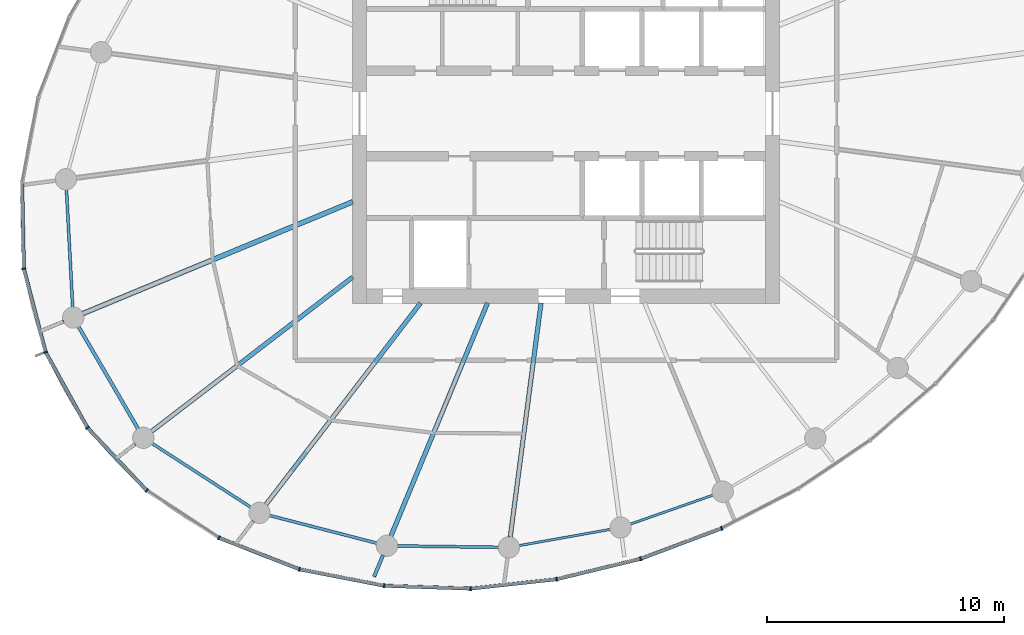
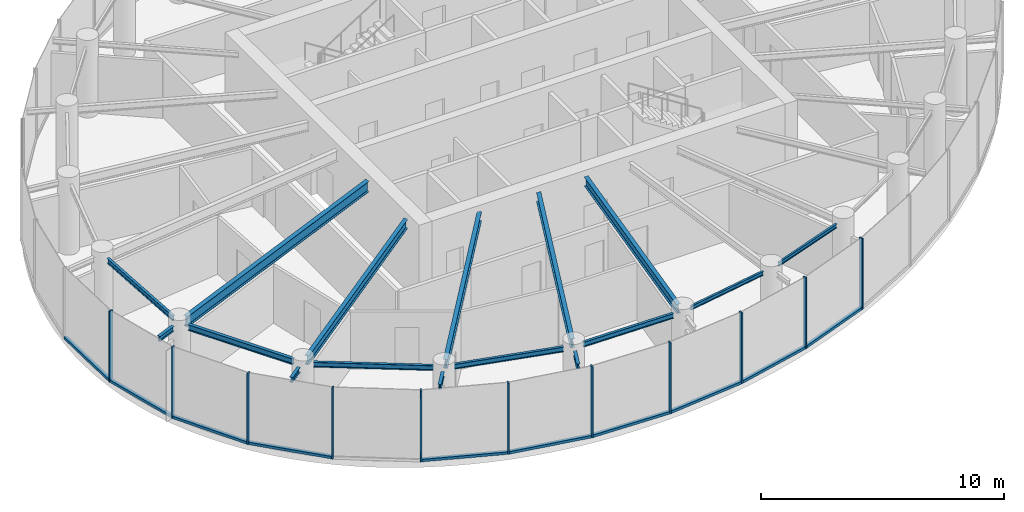
# One storey, part 2 of 13: 21 members, 16 beams, 3 elements without a shape of their own.
"""IFC4 building model written with IfcOpenShell, lengths in metres."""

from ifc_helpers import new_model, si_unit, direction, frame, origin, origin_2d, place, context, subcontext, project, spatial, rectangle, i_section, extrude, source, transform, mapped, material, layer, layer_set, material_profile, profile_set, type_object, element, aggregate, save


model = new_model("IFC4")

# Units and contexts
model_context = context("Model", 3, precision=1e-05, world=origin(), true_north=direction((0.0, 1.0)))
body_context = subcontext(model_context, "Body", "Model", "MODEL_VIEW")
ifc_project = project(units=[si_unit("LENGTHUNIT", "METRE"), si_unit("AREAUNIT", "SQUARE_METRE"), si_unit("VOLUMEUNIT", "CUBIC_METRE"), si_unit("PLANEANGLEUNIT", "RADIAN"), si_unit("MASSUNIT", "GRAM", prefix="KILO")], contexts=[model_context])

# Site, building, storey
site_placement = place(None, origin())
site = spatial("IfcSite", under=ifc_project, at=site_placement, CompositionType="ELEMENT")
building_placement = place(site_placement, origin())
building = spatial("IfcBuilding", under=site, at=building_placement, Name="Spindrift Exchange Tower", CompositionType="ELEMENT")
storey_placement = place(building_placement, frame((0.0, 0.0, 218.89990234375)))
storey = spatial("IfcBuildingStorey", under=building, at=storey_placement, Name="L53", CompositionType="ELEMENT", Elevation=218.89990234375)

# Beams
ifc_material_1 = material(Name="Steel Grade 300", Category="steel")
ifc_material_profile_1 = material_profile(ifc_material_1, i_section(OverallWidth=0.14599609375, OverallDepth=0.251953125, WebThickness=0.006103515625, FlangeThickness=0.008544921875, FilletRadius=0.011962890625, at=origin_2d()), Name="250UB31.4")
ifc_profile_set_1 = profile_set([ifc_material_profile_1], Name="Steel Grade 300")
beam_type_1 = type_object("IfcBeamType", Name="Cantilever Beam 250UB31.4 Steel Grade 300", PredefinedType="BEAM", material=ifc_profile_set_1)
shared_shape_1 = source(origin(), body_context, "Body", "SweptSolid", [
    extrude(i_section(OverallWidth=0.14599609375, OverallDepth=0.251953125, WebThickness=0.006103515625, FlangeThickness=0.008544921875, FilletRadius=0.011962890625, at=origin_2d()), origin(), (0.0, 0.0, 1.0), 0.978515625),
])
beam_1_placement = place(storey_placement, frame((44.292724609375, 29.39306640625, 3.4541015625), z_axis=(-0.382719033385, -0.923864785283, 0.0), x_axis=(0.923864785283, -0.382719033385, 0.0)))
element("IfcBeam", 1, at=beam_1_placement, inside=storey, type_object=beam_type_1, Name="L53 cantilever beam R17T", PredefinedType="BEAM", context=body_context, shape_type="MappedRepresentation", body=[
    mapped(shared_shape_1, transform((0.0, 0.0, 0.0), scale=1.0)),
])
ifc_material_profile_2 = material_profile(ifc_material_1, i_section(OverallWidth=0.208984375, OverallDepth=0.528076171875, WebThickness=0.009521484375, FlangeThickness=0.01318359375, FilletRadius=0.013916015625, at=origin_2d()), Name="530UB82.0")
ifc_profile_set_2 = profile_set([ifc_material_profile_2], Name="Steel Grade 300")
beam_type_2 = type_object("IfcBeamType", Name="Floor Beam 530UB82.0 Steel Grade 300", PredefinedType="BEAM", material=ifc_profile_set_2)
shared_shape_2 = source(origin(), body_context, "Body", "SweptSolid", [
    extrude(i_section(OverallWidth=0.208984375, OverallDepth=0.528076171875, WebThickness=0.009521484375, FlangeThickness=0.01318359375, FilletRadius=0.013916015625, at=origin_2d()), origin(), (0.0, 0.0, 1.0), 12.3115234375),
])
beam_2_placement = place(storey_placement, frame((43.0185546875, 44.27978515625, 3.316162109375), z_axis=(-0.923878099838, -0.382686891126, 0.0), x_axis=(0.382686891126, -0.923878099838, 0.0)))
element("IfcBeam", 2, at=beam_2_placement, inside=storey, type_object=beam_type_2, Name="L53 radial beam R14A", PredefinedType="BEAM", context=body_context, shape_type="MappedRepresentation", body=[
    mapped(shared_shape_2, transform((0.0, 0.0, 0.0), scale=1.0)),
])
ifc_material_profile_3 = material_profile(ifc_material_1, i_section(OverallWidth=0.18994140625, OverallDepth=0.4541015625, WebThickness=0.008544921875, FlangeThickness=0.0126953125, FilletRadius=0.013916015625, at=origin_2d()), Name="460UB67.1")
ifc_profile_set_3 = profile_set([ifc_material_profile_3], Name="Steel Grade 300")
beam_type_3 = type_object("IfcBeamType", Name="Floor Beam 460UB67.1 Steel Grade 300", PredefinedType="BEAM", material=ifc_profile_set_3)
shared_shape_3 = source(origin(), body_context, "Body", "SweptSolid", [
    extrude(i_section(OverallWidth=0.18994140625, OverallDepth=0.4541015625, WebThickness=0.008544921875, FlangeThickness=0.0126953125, FilletRadius=0.013916015625, at=origin_2d()), origin(), (0.0, 0.0, 1.0), 10.684814453125),
])
beam_3_placement = place(storey_placement, frame((43.015869140625, 41.106201171875, 3.35302734375), z_axis=(-0.793357316898, -0.608756246559, 0.0), x_axis=(0.608756246559, -0.793357316898, 0.0)))
element("IfcBeam", 3, at=beam_3_placement, inside=storey, type_object=beam_type_3, Name="L53 radial beam R15A", PredefinedType="BEAM", context=body_context, shape_type="MappedRepresentation", body=[
    mapped(shared_shape_3, transform((0.0, 0.0, 0.0), scale=1.0)),
])
shared_shape_4 = source(origin(), body_context, "Body", "SweptSolid", [
    extrude(i_section(OverallWidth=0.18994140625, OverallDepth=0.4541015625, WebThickness=0.008544921875, FlangeThickness=0.0126953125, FilletRadius=0.013916015625, at=origin_2d()), origin(), (0.0, 0.0, 1.0), 10.711181640625),
])
beam_4_placement = place(storey_placement, frame((45.87353515625, 40.015869140625, 3.35302734375), z_axis=(-0.608756401092, -0.793357198322, 0.0), x_axis=(0.793357198322, -0.608756401092, 0.0)))
element("IfcBeam", 4, at=beam_4_placement, inside=storey, type_object=beam_type_3, Name="L53 radial beam R16A", PredefinedType="BEAM", context=body_context, shape_type="MappedRepresentation", body=[
    mapped(shared_shape_4, transform((0.0, 0.0, 0.0), scale=1.0)),
])
shared_shape_5 = source(origin(), body_context, "Body", "SweptSolid", [
    extrude(i_section(OverallWidth=0.18994140625, OverallDepth=0.4541015625, WebThickness=0.008544921875, FlangeThickness=0.0126953125, FilletRadius=0.013916015625, at=origin_2d()), origin(), (0.0, 0.0, 1.0), 10.64111328125),
])
beam_5_placement = place(storey_placement, frame((48.69384765625, 40.0185546875, 3.35302734375), z_axis=(-0.382672627597, -0.923884007919, 0.0), x_axis=(0.923884007919, -0.382672627597, 0.0)))
element("IfcBeam", 5, at=beam_5_placement, inside=storey, type_object=beam_type_3, Name="L53 radial beam R17A", PredefinedType="BEAM", context=body_context, shape_type="MappedRepresentation", body=[
    mapped(shared_shape_5, transform((0.0, 0.0, 0.0), scale=1.0)),
])
shared_shape_6 = source(origin(), body_context, "Body", "SweptSolid", [
    extrude(i_section(OverallWidth=0.18994140625, OverallDepth=0.4541015625, WebThickness=0.008544921875, FlangeThickness=0.0126953125, FilletRadius=0.013916015625, at=origin_2d()), origin(), (0.0, 0.0, 1.0), 9.95703125),
])
beam_6_placement = place(storey_placement, frame((50.949462890625, 40.019775390625, 3.35302734375), z_axis=(-0.130541406635, -0.991442858239, 0.0), x_axis=(0.991442858239, -0.130541406635, 0.0)))
element("IfcBeam", 6, at=beam_6_placement, inside=storey, type_object=beam_type_3, Name="L53 radial beam R18A", PredefinedType="BEAM", context=body_context, shape_type="MappedRepresentation", body=[
    mapped(shared_shape_6, transform((0.0, 0.0, 0.0), scale=1.0)),
])
ifc_material_profile_4 = material_profile(ifc_material_1, i_section(OverallWidth=0.1240234375, OverallDepth=0.248046875, WebThickness=0.0048828125, FlangeThickness=0.008056640625, FilletRadius=0.011962890625, at=origin_2d()), Name="250UB25.7")
ifc_profile_set_4 = profile_set([ifc_material_profile_4], Name="Steel Grade 300")
beam_type_4 = type_object("IfcBeamType", Name="Edge Beam 250UB25.7 Steel Grade 300", PredefinedType="SPANDREL", material=ifc_profile_set_4)
shared_shape_7 = source(origin(), body_context, "Body", "SweptSolid", [
    extrude(i_section(OverallWidth=0.1240234375, OverallDepth=0.248046875, WebThickness=0.0048828125, FlangeThickness=0.008056640625, FilletRadius=0.011962890625, at=origin_2d()), origin(), (0.0, 0.0, 1.0), 4.971435546875),
])
beam_7_placement = place(storey_placement, frame((30.96044921875, 44.797607421875, 3.4560546875), z_axis=(0.053038255124, -0.998592481192, 0.0), x_axis=(0.998592481192, 0.053038255124, 0.0)))
element("IfcBeam", 7, at=beam_7_placement, inside=storey, type_object=beam_type_4, Name="L53 edge beam E13", PredefinedType="SPANDREL", context=body_context, shape_type="MappedRepresentation", body=[
    mapped(shared_shape_7, transform((0.0, 0.0, 0.0), scale=1.0)),
])
ifc_material_profile_5 = material_profile(ifc_material_1, i_section(OverallWidth=0.14892578125, OverallDepth=0.298095703125, WebThickness=0.005615234375, FlangeThickness=0.008056640625, FilletRadius=0.012939453125, at=origin_2d()), Name="310UB32.0")
ifc_profile_set_5 = profile_set([ifc_material_profile_5], Name="Steel Grade 300")
beam_type_5 = type_object("IfcBeamType", Name="Edge Beam 310UB32.0 Steel Grade 300", PredefinedType="SPANDREL", material=ifc_profile_set_5)
shared_shape_8 = source(origin(), body_context, "Body", "SweptSolid", [
    extrude(i_section(OverallWidth=0.14892578125, OverallDepth=0.298095703125, WebThickness=0.005615234375, FlangeThickness=0.008056640625, FilletRadius=0.012939453125, at=origin_2d()), origin(), (0.0, 0.0, 1.0), 5.0009765625),
])
beam_8_placement = place(storey_placement, frame((31.46337890625, 39.0322265625, 3.43115234375), z_axis=(0.503512812094, -0.863987759205, 0.0), x_axis=(0.863987759205, 0.503512812094, 0.0)))
element("IfcBeam", 8, at=beam_8_placement, inside=storey, type_object=beam_type_5, Name="L53 edge beam E14", PredefinedType="SPANDREL", context=body_context, shape_type="MappedRepresentation", body=[
    mapped(shared_shape_8, transform((0.0, 0.0, 0.0), scale=1.0)),
])
shared_shape_9 = source(origin(), body_context, "Body", "SweptSolid", [
    extrude(i_section(OverallWidth=0.1240234375, OverallDepth=0.248046875, WebThickness=0.0048828125, FlangeThickness=0.008056640625, FilletRadius=0.011962890625, at=origin_2d()), origin(), (0.0, 0.0, 1.0), 4.966552734375),
])
beam_9_placement = place(storey_placement, frame((34.55908203125, 34.106689453125, 3.4560546875), z_axis=(0.839802198579, -0.54289250065, 0.0), x_axis=(0.54289250065, 0.839802198579, 0.0)))
element("IfcBeam", 9, at=beam_9_placement, inside=storey, type_object=beam_type_4, Name="L53 edge beam E15", PredefinedType="SPANDREL", context=body_context, shape_type="MappedRepresentation", body=[
    mapped(shared_shape_9, transform((0.0, 0.0, 0.0), scale=1.0)),
])
shared_shape_10 = source(origin(), body_context, "Body", "SweptSolid", [
    extrude(i_section(OverallWidth=0.1240234375, OverallDepth=0.248046875, WebThickness=0.0048828125, FlangeThickness=0.008056640625, FilletRadius=0.011962890625, at=origin_2d()), origin(), (0.0, 0.0, 1.0), 4.682373046875),
])
beam_10_placement = place(storey_placement, frame((39.507568359375, 31.0693359375, 3.4560546875), z_axis=(0.968201586176, -0.250171318352, 0.0), x_axis=(0.250171318352, 0.968201586176, 0.0)))
element("IfcBeam", 10, at=beam_10_placement, inside=storey, type_object=beam_type_4, Name="L53 edge beam E16", PredefinedType="SPANDREL", context=body_context, shape_type="MappedRepresentation", body=[
    mapped(shared_shape_10, transform((0.0, 0.0, 0.0), scale=1.0)),
])
shared_shape_11 = source(origin(), body_context, "Body", "SweptSolid", [
    extrude(i_section(OverallWidth=0.1240234375, OverallDepth=0.248046875, WebThickness=0.0048828125, FlangeThickness=0.008056640625, FilletRadius=0.011962890625, at=origin_2d()), origin(), (0.0, 0.0, 1.0), 4.27685546875),
])
beam_11_placement = place(storey_placement, frame((44.88720703125, 29.78466796875, 3.4560546875), z_axis=(0.999910013527, -0.013415097807, 0.0), x_axis=(0.013415097807, 0.999910013527, 0.0)))
element("IfcBeam", 11, at=beam_11_placement, inside=storey, type_object=beam_type_4, Name="L53 edge beam E17", PredefinedType="SPANDREL", context=body_context, shape_type="MappedRepresentation", body=[
    mapped(shared_shape_11, transform((0.0, 0.0, 0.0), scale=1.0)),
])
ifc_material_profile_6 = material_profile(ifc_material_1, i_section(OverallWidth=0.09912109375, OverallDepth=0.197998046875, WebThickness=0.00439453125, FlangeThickness=0.007080078125, FilletRadius=0.010986328125, at=origin_2d()), Name="200UB18.2")
ifc_profile_set_6 = profile_set([ifc_material_profile_6], Name="Steel Grade 300")
beam_type_6 = type_object("IfcBeamType", Name="Edge Beam 200UB18.2 Steel Grade 300", PredefinedType="SPANDREL", material=ifc_profile_set_6)
shared_shape_12 = source(origin(), body_context, "Body", "SweptSolid", [
    extrude(i_section(OverallWidth=0.09912109375, OverallDepth=0.197998046875, WebThickness=0.00439453125, FlangeThickness=0.007080078125, FilletRadius=0.010986328125, at=origin_2d()), origin(), (0.0, 0.0, 1.0), 3.916259765625),
])
beam_12_placement = place(storey_placement, frame((50.01708984375, 29.796875, 3.481201171875), z_axis=(0.984558687682, 0.175054821441, 0.0), x_axis=(-0.175054821441, 0.984558687682, 0.0)))
element("IfcBeam", 12, at=beam_12_placement, inside=storey, type_object=beam_type_6, Name="L53 edge beam E18", PredefinedType="SPANDREL", context=body_context, shape_type="MappedRepresentation", body=[
    mapped(shared_shape_12, transform((0.0, 0.0, 0.0), scale=1.0)),
])
shared_shape_13 = source(origin(), body_context, "Body", "SweptSolid", [
    extrude(i_section(OverallWidth=0.09912109375, OverallDepth=0.197998046875, WebThickness=0.00439453125, FlangeThickness=0.007080078125, FilletRadius=0.010986328125, at=origin_2d()), origin(), (0.0, 0.0, 1.0), 3.700439453125),
])
beam_13_placement = place(storey_placement, frame((54.701904296875, 30.699951171875, 3.481201171875), z_axis=(0.943515334916, 0.331328858957, 0.0), x_axis=(-0.331328858957, 0.943515334916, 0.0)))
element("IfcBeam", 13, at=beam_13_placement, inside=storey, type_object=beam_type_6, Name="L53 edge beam E19", PredefinedType="SPANDREL", context=body_context, shape_type="MappedRepresentation", body=[
    mapped(shared_shape_13, transform((0.0, 0.0, 0.0), scale=1.0)),
])
shared_shape_14 = source(origin(), body_context, "Body", "SweptSolid", [
    extrude(i_section(OverallWidth=0.14599609375, OverallDepth=0.251953125, WebThickness=0.006103515625, FlangeThickness=0.008544921875, FilletRadius=0.011962890625, at=origin_2d()), origin(), (0.0, 0.0, 1.0), 0.96484375),
])
for number, where, z_axis, x_axis, name in (
    (14, (30.849609375, 39.2392578125, 3.4541015625), (-0.923905808726, -0.382619989809, 0.0), (0.382619989809, -0.923905808726, 0.0), "L53 cantilever beam R14T"),
    (15, (38.829345703125, 30.835693359375, 3.4541015625), (-0.608829895699, -0.793300799258, 0.0), (0.793300799258, -0.608829895699, 0.0), "L53 cantilever beam R16T"),
):
    element("IfcBeam", number, at=place(storey_placement, frame(where, z_axis=z_axis, x_axis=x_axis)), inside=storey, type_object=beam_type_1, Name=name, PredefinedType="BEAM", context=body_context, shape_type="MappedRepresentation", body=[
        mapped(shared_shape_14, transform((0.0, 0.0, 0.0), scale=1.0)),
    ])
shared_shape_15 = source(origin(), body_context, "Body", "SweptSolid", [
    extrude(i_section(OverallWidth=0.14599609375, OverallDepth=0.251953125, WebThickness=0.006103515625, FlangeThickness=0.008544921875, FilletRadius=0.011962890625, at=origin_2d()), origin(), (0.0, 0.0, 1.0), 0.83056640625),
])
beam_14_placement = place(storey_placement, frame((33.856689453125, 34.078125, 3.4541015625), z_axis=(-0.793355546488, -0.608758553826, 0.0), x_axis=(0.608758553826, -0.793355546488, 0.0)))
element("IfcBeam", 16, at=beam_14_placement, inside=storey, type_object=beam_type_1, Name="L53 cantilever beam R15T", PredefinedType="BEAM", context=body_context, shape_type="MappedRepresentation", body=[
    mapped(shared_shape_15, transform((0.0, 0.0, 0.0), scale=1.0)),
])

# Curtain wall, members
ifc_material_2 = material(Name="Fritted laminated glass with bronze frame", Category="glass")
ifc_layer = layer(ifc_material_2, 0.169921875)
ifc_layer_set = layer_set([ifc_layer], Name="ZONE 4 BRONZE FRITTED WALL")
curtain_wall_type = type_object("IfcCurtainWallType", Name="ZONE 4 BRONZE FRITTED WALL", PredefinedType="NOTDEFINED", material=ifc_layer_set)
curtain_wall_1_placement = place(storey_placement, origin())
curtain_wall_1 = element("IfcCurtainWall", 17, at=curtain_wall_1_placement, inside=storey, type_object=curtain_wall_type, Name="L53 Zone 4 Bronze Fritted Wall run 5", PredefinedType="NOTDEFINED")
ifc_material_3 = material(Name="Bronze anodised aluminium", Category="aluminium")
ifc_material_profile_7 = material_profile(ifc_material_3, rectangle(XDim=0.14990234375, YDim=0.125, at=origin_2d()), Name="ZONE 4 BRONZE FRITTED WALL TRANSOM 150X125")
ifc_profile_set_7 = profile_set([ifc_material_profile_7], Name="Bronze anodised aluminium")
member_type_1 = type_object("IfcMemberType", Name="ZONE 4 BRONZE FRITTED WALL TRANSOM 150X125", PredefinedType="USERDEFINED", material=ifc_profile_set_7)
shared_shape_16 = source(origin(), body_context, "Body", "SweptSolid", [
    extrude(rectangle(XDim=0.14990234375, YDim=0.125, at=origin_2d()), origin(), (0.0, 0.0, 1.0), 3.57763671875),
])
member_1_placement = place(storey_placement, frame((51.63671875, 28.390380859375, 0.0625), z_axis=(0.971824531668, 0.235705493461, 0.0), x_axis=(-0.235705493461, 0.971824531668, 0.0)))
member_1 = element("IfcMember", 18, at=member_1_placement, type_object=member_type_1, Name="L53 transom CW-4.26", ObjectType="TRANSOM", PredefinedType="USERDEFINED", context=body_context, shape_type="MappedRepresentation", body=[
    mapped(shared_shape_16, transform((0.0, 0.0, 0.0), scale=1.0)),
])
member_2_placement = place(storey_placement, frame((55.175537109375, 29.252685546875, 0.0625), z_axis=(0.93613272094, 0.351646880814, 0.0), x_axis=(-0.351646880814, 0.93613272094, 0.0)))
member_2 = element("IfcMember", 19, at=member_2_placement, type_object=member_type_1, Name="L53 transom CW-4.27", ObjectType="TRANSOM", PredefinedType="USERDEFINED", context=body_context, shape_type="MappedRepresentation", body=[
    mapped(shared_shape_16, transform((0.0, 0.0, 0.0), scale=1.0)),
])
shared_shape_17 = source(origin(), body_context, "Body", "SweptSolid", [
    extrude(rectangle(XDim=0.14990234375, YDim=0.125, at=origin_2d()), origin(), (0.0, 0.0, 1.0), 3.5771484375),
])
member_3_placement = place(storey_placement, frame((48.0166015625, 27.991455078125, 0.0625), z_axis=(0.994102310383, 0.108446283894, 0.0), x_axis=(-0.108446283894, 0.994102310383, 0.0)))
member_3 = element("IfcMember", 20, at=member_3_placement, type_object=member_type_1, Name="L53 transom CW-4.25", ObjectType="TRANSOM", PredefinedType="USERDEFINED", context=body_context, shape_type="MappedRepresentation", body=[
    mapped(shared_shape_17, transform((0.0, 0.0, 0.0), scale=1.0)),
])

# Curtain wall, member
curtain_wall_2_placement = place(storey_placement, origin())
curtain_wall_2 = element("IfcCurtainWall", 21, at=curtain_wall_2_placement, inside=storey, type_object=curtain_wall_type, Name="L53 Zone 4 Bronze Fritted Wall run 3", PredefinedType="NOTDEFINED")
shared_shape_18 = source(origin(), body_context, "Body", "SweptSolid", [
    extrude(rectangle(XDim=0.14990234375, YDim=0.125, at=origin_2d()), origin(), (0.0, 0.0, 1.0), 3.57080078125),
])
member_4_placement = place(storey_placement, frame((29.17578125, 41.431396484375, 0.0625), z_axis=(0.251887457311, -0.967756533871, 0.0), x_axis=(0.967756533871, 0.251887457311, 0.0)))
member_4 = element("IfcMember", 22, at=member_4_placement, type_object=member_type_1, Name="L53 transom CW-4.18", ObjectType="TRANSOM", PredefinedType="USERDEFINED", context=body_context, shape_type="MappedRepresentation", body=[
    mapped(shared_shape_18, transform((0.0, 0.0, 0.0), scale=1.0)),
])

curtain_wall_3_placement = place(storey_placement, origin())
curtain_wall_3 = element("IfcCurtainWall", 23, at=curtain_wall_3_placement, inside=storey, type_object=curtain_wall_type, Name="L53 Zone 4 Bronze Fritted Wall run 4", PredefinedType="NOTDEFINED")
member_5_placement = place(storey_placement, frame((31.866455078125, 34.740478515625, 0.0625), z_axis=(0.686402653413, -0.72722169755, 0.0), x_axis=(0.72722169755, 0.686402653413, 0.0)))
member_5 = element("IfcMember", 24, at=member_5_placement, type_object=member_type_1, Name="L53 transom CW-4.20", ObjectType="TRANSOM", PredefinedType="USERDEFINED", context=body_context, shape_type="MappedRepresentation", body=[
    mapped(shared_shape_18, transform((0.0, 0.0, 0.0), scale=1.0)),
])

# Member
ifc_material_profile_8 = material_profile(ifc_material_3, rectangle(XDim=0.06494140625, YDim=0.169921875, at=origin_2d()), Name="ZONE 4 BRONZE FRITTED WALL MULLION 65X170")
ifc_profile_set_8 = profile_set([ifc_material_profile_8], Name="Bronze anodised aluminium")
member_type_2 = type_object("IfcMemberType", Name="ZONE 4 BRONZE FRITTED WALL MULLION 65X170", PredefinedType="MULLION", material=ifc_profile_set_8)
shared_shape_19 = source(origin(), body_context, "Body", "SweptSolid", [
    extrude(rectangle(XDim=0.06494140625, YDim=0.169921875, at=origin_2d()), origin(), (0.0, 0.0, 1.0), 3.580078125),
])
member_6_placement = place(storey_placement, frame((29.16748046875, 41.462890625, 0.0), z_axis=(0.0, 0.0, 1.0), x_axis=(0.137313772124, -0.990527600819, 0.0)))
member_6 = element("IfcMember", 25, at=member_6_placement, type_object=member_type_2, Name="L53 mullion CW-4.18", PredefinedType="MULLION", context=body_context, shape_type="MappedRepresentation", body=[
    mapped(shared_shape_19, transform((0.0, 0.0, 0.0), scale=1.0)),
])

member_7_placement = place(storey_placement, frame((30.08349609375, 37.9443359375, 0.0), z_axis=(0.0, 0.0, 1.0), x_axis=(0.371052505456, -0.928611887817, 0.0)))
member_7 = element("IfcMember", 26, at=member_7_placement, type_object=member_type_2, Name="L53 mullion CW-4.19", PredefinedType="MULLION", context=body_context, shape_type="MappedRepresentation", body=[
    mapped(shared_shape_19, transform((0.0, 0.0, 0.0), scale=1.0)),
])

member_8_placement = place(storey_placement, frame((31.843994140625, 34.76416015625, 0.0), z_axis=(0.0, 0.0, 1.0), x_axis=(0.590005730561, -0.807399057409, 0.0)))
member_8 = element("IfcMember", 27, at=member_8_placement, type_object=member_type_2, Name="L53 mullion CW-4.20", PredefinedType="MULLION", context=body_context, shape_type="MappedRepresentation", body=[
    mapped(shared_shape_19, transform((0.0, 0.0, 0.0), scale=1.0)),
])

member_9_placement = place(storey_placement, frame((34.339599609375, 32.1201171875, 0.0), z_axis=(0.0, 0.0, 1.0), x_axis=(0.76656051664, -0.642172075326, 0.0)))
member_9 = element("IfcMember", 28, at=member_9_placement, type_object=member_type_2, Name="L53 mullion CW-4.21", PredefinedType="MULLION", context=body_context, shape_type="MappedRepresentation", body=[
    mapped(shared_shape_19, transform((0.0, 0.0, 0.0), scale=1.0)),
])

member_10_placement = place(storey_placement, frame((37.381591796875, 30.12548828125, 0.0), z_axis=(0.0, 0.0, 1.0), x_axis=(0.888599816, -0.458683297063, 0.0)))
member_10 = element("IfcMember", 29, at=member_10_placement, type_object=member_type_2, Name="L53 mullion CW-4.22", PredefinedType="MULLION", context=body_context, shape_type="MappedRepresentation", body=[
    mapped(shared_shape_19, transform((0.0, 0.0, 0.0), scale=1.0)),
])

member_11_placement = place(storey_placement, frame((40.77099609375, 28.800537109375, 0.0), z_axis=(0.0, 0.0, 1.0), x_axis=(0.960482774955, -0.278339431298, 0.0)))
member_11 = element("IfcMember", 30, at=member_11_placement, type_object=member_type_2, Name="L53 mullion CW-4.23", PredefinedType="MULLION", context=body_context, shape_type="MappedRepresentation", body=[
    mapped(shared_shape_19, transform((0.0, 0.0, 0.0), scale=1.0)),
])

member_12_placement = place(storey_placement, frame((44.344970703125, 28.107666015625, 0.0), z_axis=(0.0, 0.0, 1.0), x_axis=(0.993713633308, -0.111951842227, 0.0)))
member_12 = element("IfcMember", 31, at=member_12_placement, type_object=member_type_2, Name="L53 mullion CW-4.24", PredefinedType="MULLION", context=body_context, shape_type="MappedRepresentation", body=[
    mapped(shared_shape_19, transform((0.0, 0.0, 0.0), scale=1.0)),
])

member_13_placement = place(storey_placement, frame((47.984375, 27.988037109375, 0.0), z_axis=(0.0, 0.0, 1.0), x_axis=(0.999283143785, 0.037857608838, 0.0)))
member_13 = element("IfcMember", 32, at=member_13_placement, type_object=member_type_2, Name="L53 mullion CW-4.25", PredefinedType="MULLION", context=body_context, shape_type="MappedRepresentation", body=[
    mapped(shared_shape_19, transform((0.0, 0.0, 0.0), scale=1.0)),
])

member_14_placement = place(storey_placement, frame((51.60498046875, 28.3828125, 0.0), z_axis=(0.0, 0.0, 1.0), x_axis=(0.985028754259, 0.172390119445, 0.0)))
member_14 = element("IfcMember", 33, at=member_14_placement, type_object=member_type_2, Name="L53 mullion CW-4.26", PredefinedType="MULLION", context=body_context, shape_type="MappedRepresentation", body=[
    mapped(shared_shape_19, transform((0.0, 0.0, 0.0), scale=1.0)),
])

member_15_placement = place(storey_placement, frame((55.14501953125, 29.2412109375, 0.0), z_axis=(0.0, 0.0, 1.0), x_axis=(0.955748600895, 0.294184656104, 0.0)))
member_15 = element("IfcMember", 34, at=member_15_placement, type_object=member_type_2, Name="L53 mullion CW-4.27", PredefinedType="MULLION", context=body_context, shape_type="MappedRepresentation", body=[
    mapped(shared_shape_19, transform((0.0, 0.0, 0.0), scale=1.0)),
])

member_16_placement = place(storey_placement, frame((58.55517578125, 30.522216796875, 0.0), z_axis=(0.0, 0.0, 1.0), x_axis=(0.913927143124, 0.405878278626, 0.0)))
member_16 = element("IfcMember", 35, at=member_16_placement, type_object=member_type_2, Name="L53 mullion CW-4.28", PredefinedType="MULLION", context=body_context, shape_type="MappedRepresentation", body=[
    mapped(shared_shape_19, transform((0.0, 0.0, 0.0), scale=1.0)),
])

aggregate(curtain_wall_1, [member_13, member_3, member_14, member_1, member_15, member_2, member_16])

shared_shape_20 = source(origin(), body_context, "Body", "SweptSolid", [
    extrude(rectangle(XDim=0.14990234375, YDim=0.125, at=origin_2d()), origin(), (0.0, 0.0, 1.0), 3.57568359375),
])
member_17_placement = place(storey_placement, frame((40.802734375, 28.79443359375, 0.0625), z_axis=(0.981714046847, -0.190361577591, 0.0), x_axis=(0.190361577591, 0.981714046847, 0.0)))
member_17 = element("IfcMember", 36, at=member_17_placement, type_object=member_type_1, Name="L53 transom CW-4.23", ObjectType="TRANSOM", PredefinedType="USERDEFINED", context=body_context, shape_type="MappedRepresentation", body=[
    mapped(shared_shape_20, transform((0.0, 0.0, 0.0), scale=1.0)),
])

shared_shape_21 = source(origin(), body_context, "Body", "SweptSolid", [
    extrude(rectangle(XDim=0.14990234375, YDim=0.125, at=origin_2d()), origin(), (0.0, 0.0, 1.0), 3.5703125),
])
member_18_placement = place(storey_placement, frame((30.09912109375, 37.916015625, 0.0625), z_axis=(0.48434766175, -0.874875615478, 0.0), x_axis=(0.874875615478, 0.48434766175, 0.0)))
member_18 = element("IfcMember", 37, at=member_18_placement, type_object=member_type_1, Name="L53 transom CW-4.19", ObjectType="TRANSOM", PredefinedType="USERDEFINED", context=body_context, shape_type="MappedRepresentation", body=[
    mapped(shared_shape_21, transform((0.0, 0.0, 0.0), scale=1.0)),
])

shared_shape_22 = source(origin(), body_context, "Body", "SweptSolid", [
    extrude(rectangle(XDim=0.14990234375, YDim=0.125, at=origin_2d()), origin(), (0.0, 0.0, 1.0), 3.57421875),
])
member_19_placement = place(storey_placement, frame((37.411865234375, 30.11376953125, 0.0625), z_axis=(0.931368700454, -0.364077387123, 0.0), x_axis=(0.364077387123, 0.931368700454, 0.0)))
member_19 = element("IfcMember", 38, at=member_19_placement, type_object=member_type_1, Name="L53 transom CW-4.22", ObjectType="TRANSOM", PredefinedType="USERDEFINED", context=body_context, shape_type="MappedRepresentation", body=[
    mapped(shared_shape_22, transform((0.0, 0.0, 0.0), scale=1.0)),
])

shared_shape_23 = source(origin(), body_context, "Body", "SweptSolid", [
    extrude(rectangle(XDim=0.14990234375, YDim=0.125, at=origin_2d()), origin(), (0.0, 0.0, 1.0), 3.576416015625),
])
member_20_placement = place(storey_placement, frame((44.37744140625, 28.106689453125, 0.0625), z_axis=(0.99945853579, -0.032903422871, 0.0), x_axis=(0.032903422871, 0.99945853579, 0.0)))
member_20 = element("IfcMember", 39, at=member_20_placement, type_object=member_type_1, Name="L53 transom CW-4.24", ObjectType="TRANSOM", PredefinedType="USERDEFINED", context=body_context, shape_type="MappedRepresentation", body=[
    mapped(shared_shape_23, transform((0.0, 0.0, 0.0), scale=1.0)),
])

aggregate(curtain_wall_3, [member_7, member_18, member_8, member_5, member_9, member_10, member_19, member_11, member_17, member_12, member_20])

shared_shape_24 = source(origin(), body_context, "Body", "SweptSolid", [
    extrude(rectangle(XDim=0.14990234375, YDim=0.125, at=origin_2d()), origin(), (0.0, 0.0, 1.0), 3.572265625),
])
member_21_placement = place(storey_placement, frame((29.092529296875, 45.06689453125, 0.0625), z_axis=(0.02077615574, -0.999784152381, 0.0), x_axis=(0.999784152381, 0.02077615574, 0.0)))
member_21 = element("IfcMember", 40, at=member_21_placement, type_object=member_type_1, Name="L53 transom CW-4.17", ObjectType="TRANSOM", PredefinedType="USERDEFINED", context=body_context, shape_type="MappedRepresentation", body=[
    mapped(shared_shape_24, transform((0.0, 0.0, 0.0), scale=1.0)),
])

aggregate(curtain_wall_2, [member_21, member_6, member_4])

save(model, "model.ifc")
